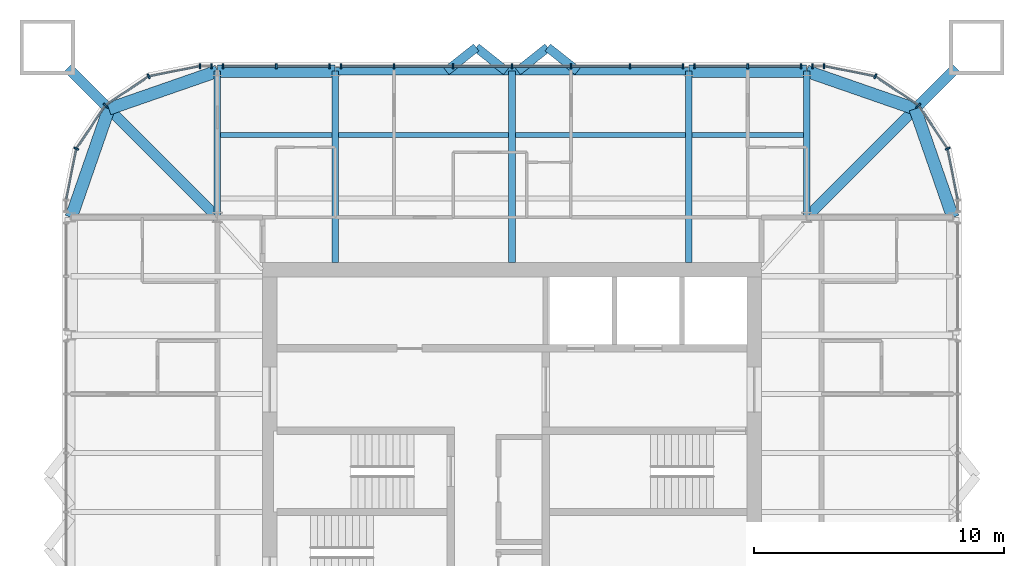
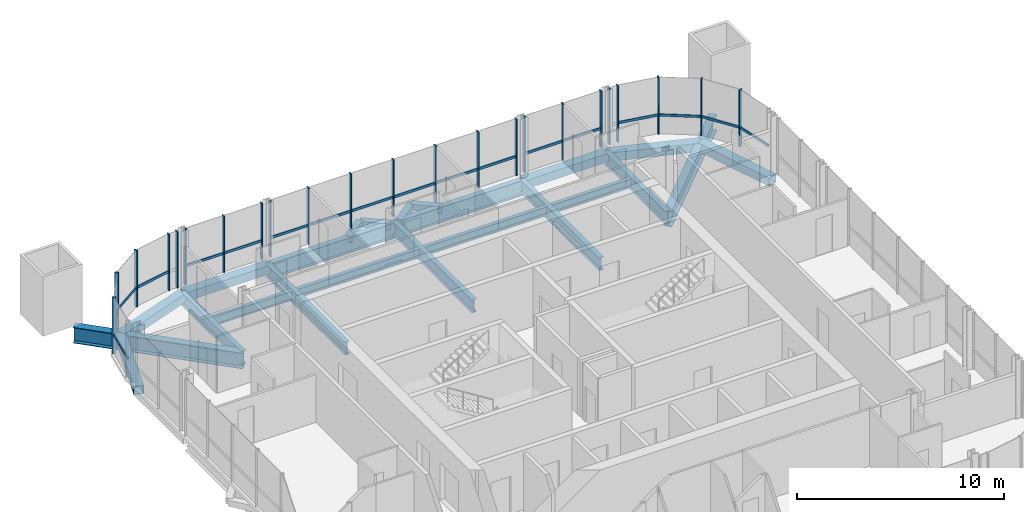
# One storey, part 6 of 17: 41 members, 22 beams, 7 elements without a shape of their own.
"""IFC4 building model written with IfcOpenShell, lengths in metres."""

import ifcopenshell
import ifcopenshell.guid

model = None  # the IFC model being written
_history = None  # IfcOwnerHistory: only IFC2X3 demands one
_inside = {}  # id of a spatial element -> (the spatial element, [elements in it])
_under = {}  # id of a project, library or spatial element -> (it, [spatial elements below it])
_declared = {}  # id of a project -> (the project, [libraries it declares])
_typed = {}  # id of a type object -> (the type object, [elements of that type])
_made_of = {}  # id of a material, layer set ... -> (it, [elements and type objects made of it])


def new_model(schema):
    """Start an empty IFC model of exactly this schema.

    Asked for "IFC4X3", IfcOpenShell would pick the latest addendum, in which some entities
    have other attributes; the version numbers below select the first issue.
    IFC2X3 requires an IfcOwnerHistory on every rooted entity: one is made here for all.
    """
    global model, _history
    if schema == "IFC4X3":
        model = ifcopenshell.file(schema_version=(4, 3, 0, 0))
    else:
        model = ifcopenshell.file(schema=schema)
    _inside.clear()
    _under.clear()
    _declared.clear()
    _typed.clear()
    _made_of.clear()
    _history = None
    if model.schema == "IFC2X3":
        org = make("IfcOrganization", Name="unknown")
        user = make(
            "IfcPersonAndOrganization",
            ThePerson=make("IfcPerson", FamilyName="unknown"),
            TheOrganization=org,
        )
        app = make(
            "IfcApplication",
            ApplicationDeveloper=org,
            Version="unknown",
            ApplicationFullName="unknown",
            ApplicationIdentifier="unknown",
        )
        _history = make(
            "IfcOwnerHistory",
            OwningUser=user,
            OwningApplication=app,
            ChangeAction="ADDED",
            CreationDate=0,
        )
    return model


def make(cls, **values):
    """One entity of the class cls with the attributes given. An attribute that is None is left unset."""
    return model.create_entity(
        cls, **{name: value for name, value in values.items() if value is not None}
    )


def rooted(cls, **values):
    """An entity with a GlobalId (a new one), such as an element, a storey or a relation."""
    return make(cls, GlobalId=ifcopenshell.guid.new(), OwnerHistory=_history, **values)


def si_unit(unit_type, name, prefix=None):
    """IfcSIUnit, for example si_unit("LENGTHUNIT", "METRE", prefix="MILLI")."""
    return make("IfcSIUnit", UnitType=unit_type, Prefix=prefix, Name=name)


def assignment(units):
    """IfcUnitAssignment: the units of a project."""
    return None if units is None else make("IfcUnitAssignment", Units=units)


def point(xyz):
    """IfcCartesianPoint."""
    return None if xyz is None else make("IfcCartesianPoint", Coordinates=xyz)


def direction(xyz):
    """IfcDirection."""
    return None if xyz is None else make("IfcDirection", DirectionRatios=xyz)


def frame(location, z_axis=None, x_axis=None):
    """IfcAxis2Placement3D, a coordinate frame: its origin and axes. An axis left out is left unset."""
    return make(
        "IfcAxis2Placement3D",
        Location=point(location),
        Axis=direction(z_axis),
        RefDirection=direction(x_axis),
    )


def frame_2d(location, x_axis=None):
    """IfcAxis2Placement2D, a coordinate frame in the plane: its origin and x axis."""
    return make(
        "IfcAxis2Placement2D", Location=point(location), RefDirection=direction(x_axis)
    )


def origin():
    """The frame at (0, 0, 0) with its axes left unset."""
    return frame((0.0, 0.0, 0.0))


def origin_2d():
    """The frame at (0, 0) in the plane with its x axis left unset."""
    return frame_2d((0.0, 0.0))


def place(relative_to, where):
    """IfcLocalPlacement: puts the frame where relative to a parent placement (None: the world)."""
    return make(
        "IfcLocalPlacement", PlacementRelTo=relative_to, RelativePlacement=where
    )


def context(
    kind, dimensions, precision=None, world=None, true_north=None, identifier=None
):
    """IfcGeometricRepresentationContext, for example the 3D "Model" context."""
    return make(
        "IfcGeometricRepresentationContext",
        ContextIdentifier=identifier,
        ContextType=kind,
        CoordinateSpaceDimension=dimensions,
        Precision=precision,
        WorldCoordinateSystem=world,
        TrueNorth=true_north,
    )


def subcontext(parent, identifier, kind, view, scale=None):
    """IfcGeometricRepresentationSubContext, for example "Body" below "Model"."""
    return make(
        "IfcGeometricRepresentationSubContext",
        ContextIdentifier=identifier,
        ContextType=kind,
        ParentContext=parent,
        TargetScale=scale,
        TargetView=view,
    )


def project(units=None, contexts=None):
    """IfcProject with its units and contexts."""
    return rooted(
        "IfcProject",
        Name="project",
        RepresentationContexts=contexts,
        UnitsInContext=assignment(units),
    )


def spatial(cls, under=None, at=None, **own):
    """A site, building, storey or space (cls), placed at a placement, below another one or the project."""
    s = rooted(cls, ObjectPlacement=at, **own)
    if under is not None:
        _under.setdefault(under.id(), (under, []))[1].append(s)
    return s


def profile(cls, at=None, kind="AREA", **sizes):
    """A parametric profile (cls). Its sizes go by their IFC names, for example OverallWidth=200.0."""
    return make(cls, ProfileType=kind, Position=at, **sizes)


def rectangle(**sizes):
    """IfcRectangleProfileDef."""
    return profile("IfcRectangleProfileDef", **sizes)


def hollow_rectangle(**sizes):
    """IfcRectangleHollowProfileDef."""
    return profile("IfcRectangleHollowProfileDef", **sizes)


def i_section(**sizes):
    """IfcIShapeProfileDef."""
    return profile("IfcIShapeProfileDef", **sizes)


def extrude(swept, where, along, depth):
    """IfcExtrudedAreaSolid: the profile swept, set in the frame where, extruded along a direction by depth."""
    return make(
        "IfcExtrudedAreaSolid",
        SweptArea=swept,
        Position=where,
        ExtrudedDirection=direction(along),
        Depth=depth,
    )


def shape(context_of_items, identifier, shape_type, items):
    """IfcShapeRepresentation: the items that make up one representation, for example the "Body"."""
    return make(
        "IfcShapeRepresentation",
        ContextOfItems=context_of_items,
        RepresentationIdentifier=identifier,
        RepresentationType=shape_type,
        Items=items,
    )


def material(Name=None, Category=None):
    """IfcMaterial."""
    return make("IfcMaterial", Name=Name, Category=Category)


def material_profile(
    of_material, cross_section, Name=None, Category=None, Priority=None
):
    """IfcMaterialProfile: a cross section and its material."""
    return make(
        "IfcMaterialProfile",
        Name=Name,
        Material=of_material,
        Profile=cross_section,
        Priority=Priority,
        Category=Category,
    )


def profile_set(profiles, Name=None, composite=None):
    """IfcMaterialProfileSet."""
    return make(
        "IfcMaterialProfileSet",
        Name=Name,
        MaterialProfiles=profiles,
        CompositeProfile=composite,
    )


def made_of(thing, what):
    """Note that an element or type object is made of a material, layer set ...; save() writes the relation."""
    if what is not None:
        _made_of.setdefault(what.id(), (what, []))[1].append(thing)
    return thing


def type_object(cls, material=None, **own):
    """A type object (cls), such as IfcWallType, which elements share."""
    return made_of(rooted(cls, **own), material)


def element(
    cls,
    number,
    at=None,
    inside=None,
    cuts=None,
    type_object=None,
    material=None,
    context=None,
    identifier="Body",
    shape_type=None,
    held_by="IfcProductDefinitionShape",
    body=None,
    shapes=None,
    **own,
):
    """One element of the class cls, such as IfcWall. Its Tag is "e" and its number.

    at: its placement. inside: the storey or other place that contains it. cuts: it is an
    opening in that element (IfcRelVoidsElement). A single representation is given by context,
    identifier, shape_type and body (its items); several are given by shapes. held_by: the class
    of the entity that holds the representations. save() writes the other relations.
    """
    e = rooted(cls, Tag="e%d" % number, ObjectPlacement=at, **own)
    if body is not None:
        shapes = [shape(context, identifier, shape_type, body)]
    if shapes is not None:
        e.Representation = make(held_by, Representations=shapes)
    if inside is not None:
        _inside.setdefault(inside.id(), (inside, []))[1].append(e)
    if cuts is not None:
        rooted(
            "IfcRelVoidsElement", RelatingBuildingElement=cuts, RelatedOpeningElement=e
        )
    if type_object is not None:
        _typed.setdefault(type_object.id(), (type_object, []))[1].append(e)
    return made_of(e, material)


def aggregate(whole, parts):
    """IfcRelAggregates: a whole, such as a stair, and the parts it consists of."""
    return rooted("IfcRelAggregates", RelatingObject=whole, RelatedObjects=parts)


def save(model, path):
    """Write the relations noted so far, then the file.

    IfcRelAggregates (storeys below a building ...), IfcRelContainedInSpatialStructure (elements
    in a storey), IfcRelDefinesByType, IfcRelAssociatesMaterial and IfcRelDeclares: one each for
    every whole, place, type object, material and project.
    """
    for whole, parts in _under.values():
        aggregate(whole, parts)
    for where, things in _inside.values():
        rooted(
            "IfcRelContainedInSpatialStructure",
            RelatedElements=things,
            RelatingStructure=where,
        )
    for kind, things in _typed.values():
        rooted("IfcRelDefinesByType", RelatedObjects=things, RelatingType=kind)
    for what, things in _made_of.values():
        rooted("IfcRelAssociatesMaterial", RelatedObjects=things, RelatingMaterial=what)
    for by, libraries in _declared.values():
        rooted("IfcRelDeclares", RelatingContext=by, RelatedDefinitions=libraries)
    model.write(path)


model = new_model("IFC4")

# Units and contexts
model_context = context("Model", 3, precision=1e-05, world=origin(), true_north=direction((0.0, 1.0)))
body_context = subcontext(model_context, "Body", "Model", "MODEL_VIEW")
ifc_project = project(units=[si_unit("LENGTHUNIT", "METRE"), si_unit("AREAUNIT", "SQUARE_METRE"), si_unit("VOLUMEUNIT", "CUBIC_METRE"), si_unit("PLANEANGLEUNIT", "RADIAN"), si_unit("MASSUNIT", "GRAM", prefix="KILO")], contexts=[model_context])

# Site, building, storey
site_placement = place(None, origin())
site = spatial("IfcSite", under=ifc_project, at=site_placement, CompositionType="ELEMENT")
building_placement = place(site_placement, origin())
building = spatial("IfcBuilding", under=site, at=building_placement, Name="Turquesa Mirador Hotel Tower", CompositionType="ELEMENT")
storey_placement = place(building_placement, frame((0.0, 0.0, 251.199951171875)))
storey = spatial("IfcBuildingStorey", under=building, at=storey_placement, Name="L68", CompositionType="ELEMENT", Elevation=251.199951171875)

# Beams
ifc_material_1 = material(Name="Steel ASTM A572 Grade 50", Category="steel")
ifc_material_profile_1 = material_profile(ifc_material_1, hollow_rectangle(XDim=0.5, YDim=0.5, WallThickness=0.01611328125, at=origin_2d()), Name="BOX500X500X16")
ifc_profile_set_1 = profile_set([ifc_material_profile_1], Name="Steel ASTM A572 Grade 50")
beam_type_1 = type_object("IfcBeamType", Name="BEAM BOX500X500X16", PredefinedType="BEAM", material=ifc_profile_set_1)
for number, where, z_axis, x_axis, name in (
    (1, (43.199951171875, 62.64990234375, -0.419921875), (1.0, 0.0, 0.0), (0.0, 1.0, 0.0), "EB-L68-N-L"),
    (2, (62.080078125, 62.64990234375, -0.419921875), (1.0, 0.0, 0.0), (0.0, 1.0, 0.0), "EB-L68-N-R"),
):
    element("IfcBeam", number, at=place(storey_placement, frame(where, z_axis=z_axis, x_axis=x_axis)), inside=storey, type_object=beam_type_1, Name=name, PredefinedType="BEAM", context=body_context, shape_type="SweptSolid", body=[
        extrude(hollow_rectangle(XDim=0.5, YDim=0.5, WallThickness=0.01611328125, at=origin_2d()), origin(), (0.0, 0.0, 1.0), 4.719970703125),
    ])
for number, where, z_axis, x_axis, name in (
    (3, (72.64990234375, 56.800048828125, -0.419921875), (-0.328170356092, 0.944618556552, 0.0), (-0.944618556552, -0.328170356092, 0.0), "KE-L68-1-0"),
    (4, (71.1416015625, 61.1416015625, -0.419921875), (-0.944618556552, 0.328170356092, 0.0), (-0.328170356092, -0.944618556552, 0.0), "KE-L68-1-1"),
    (5, (37.35009765625, 56.800048828125, -0.419921875), (0.328170356092, 0.944618556552, 0.0), (-0.944618556552, 0.328170356092, 0.0), "KE-L68-2-0"),
    (6, (38.8583984375, 61.1416015625, -0.419921875), (0.944618556552, 0.328170356092, 0.0), (-0.328170356092, 0.944618556552, 0.0), "KE-L68-2-1"),
):
    element("IfcBeam", number, at=place(storey_placement, frame(where, z_axis=z_axis, x_axis=x_axis)), inside=storey, type_object=beam_type_1, Name=name, PredefinedType="BEAM", context=body_context, shape_type="SweptSolid", body=[
        extrude(hollow_rectangle(XDim=0.5, YDim=0.5, WallThickness=0.01611328125, at=origin_2d()), origin(), (0.0, 0.0, 1.0), 4.59619140625),
    ])
ifc_material_2 = material(Name="Steel ASTM A992 Grade 50", Category="steel")
ifc_material_profile_2 = material_profile(ifc_material_2, i_section(OverallWidth=0.209228515625, OverallDepth=0.533447265625, WebThickness=0.01025390625, FlangeThickness=0.015625, at=origin_2d()), Name="W21X62")
ifc_profile_set_2 = profile_set([ifc_material_profile_2], Name="Steel ASTM A992 Grade 50")
beam_type_2 = type_object("IfcBeamType", Name="BEAM W21X62", PredefinedType="BEAM", material=ifc_profile_set_2)
beam_1_placement = place(storey_placement, frame((43.333251953125, 60.10009765625, -0.436767578125), z_axis=(1.0, 0.0, 0.0), x_axis=(0.0, 1.0, 0.0)))
element("IfcBeam", 7, at=beam_1_placement, inside=storey, type_object=beam_type_2, Name="IB-L68-N-2-0", PredefinedType="BEAM", context=body_context, shape_type="SweptSolid", body=[
    extrude(i_section(OverallWidth=0.209228515625, OverallDepth=0.533447265625, WebThickness=0.01025390625, FlangeThickness=0.015625, at=origin_2d()), origin(), (0.0, 0.0, 1.0), 4.453369140625),
])
for number, where, z_axis, x_axis, name in (
    (8, (48.053466796875, 60.10009765625, -0.436767578125), (1.0, 0.0, 0.0), (0.0, 1.0, 0.0), "IB-L68-N-2-1"),
    (9, (55.13330078125, 60.10009765625, -0.436767578125), (1.0, 0.0, 0.0), (0.0, 1.0, 0.0), "IB-L68-N-2-2"),
):
    element("IfcBeam", number, at=place(storey_placement, frame(where, z_axis=z_axis, x_axis=x_axis)), inside=storey, type_object=beam_type_2, Name=name, PredefinedType="BEAM", context=body_context, shape_type="SweptSolid", body=[
        extrude(i_section(OverallWidth=0.209228515625, OverallDepth=0.533447265625, WebThickness=0.01025390625, FlangeThickness=0.015625, at=origin_2d()), origin(), (0.0, 0.0, 1.0), 6.813232421875),
    ])
beam_2_placement = place(storey_placement, frame((62.21337890625, 60.10009765625, -0.436767578125), z_axis=(1.0, 0.0, 0.0), x_axis=(0.0, 1.0, 0.0)))
element("IfcBeam", 10, at=beam_2_placement, inside=storey, type_object=beam_type_2, Name="IB-L68-N-2-3", PredefinedType="BEAM", context=body_context, shape_type="SweptSolid", body=[
    extrude(i_section(OverallWidth=0.209228515625, OverallDepth=0.533447265625, WebThickness=0.01025390625, FlangeThickness=0.015625, at=origin_2d()), origin(), (0.0, 0.0, 1.0), 4.453369140625),
])
ifc_material_3 = material(Name="Steel ASTM A992 Grade 50", Category="steel")
ifc_material_profile_3 = material_profile(ifc_material_3, i_section(OverallWidth=0.2666015625, OverallDepth=0.7568359375, WebThickness=0.013916015625, FlangeThickness=0.019287109375, at=origin_2d()), Name="W30X108")
ifc_profile_set_3 = profile_set([ifc_material_profile_3], Name="Steel ASTM A992 Grade 50")
beam_type_3 = type_object("IfcBeamType", Name="BEAM W30X108", PredefinedType="BEAM", material=ifc_profile_set_3)
for number, where, z_axis, x_axis, name in (
    (11, (47.919921875, 62.64990234375, -0.54833984375), (0.0, -1.0, 0.0), (1.0, 0.0, 0.0), "GD-L68-N--7.08"),
    (12, (62.080078125, 62.64990234375, -0.54833984375), (0.0, -1.0, 0.0), (1.0, 0.0, 0.0), "GD-L68-N-+7.08"),
    (13, (55.0, 62.64990234375, -0.54833984375), (0.0, -1.0, 0.0), (1.0, 0.0, 0.0), "GD-L68-N-+0.00"),
):
    element("IfcBeam", number, at=place(storey_placement, frame(where, z_axis=z_axis, x_axis=x_axis)), inside=storey, type_object=beam_type_3, Name=name, PredefinedType="BEAM", context=body_context, shape_type="SweptSolid", body=[
        extrude(i_section(OverallWidth=0.2666015625, OverallDepth=0.7568359375, WebThickness=0.013916015625, FlangeThickness=0.019287109375, at=origin_2d()), origin(), (0.0, 0.0, 1.0), 7.64990234375),
    ])
for number, where, z_axis, x_axis, name in (
    (14, (43.199951171875, 62.64990234375, -0.54833984375), (0.0, -1.0, 0.0), (1.0, 0.0, 0.0), "GK-L68-N--11.80"),
    (15, (66.800048828125, 62.64990234375, -0.54833984375), (0.0, -1.0, 0.0), (1.0, 0.0, 0.0), "GK-L68-N-+11.80"),
):
    element("IfcBeam", number, at=place(storey_placement, frame(where, z_axis=z_axis, x_axis=x_axis)), inside=storey, type_object=beam_type_3, Name=name, PredefinedType="BEAM", context=body_context, shape_type="SweptSolid", body=[
        extrude(i_section(OverallWidth=0.2666015625, OverallDepth=0.7568359375, WebThickness=0.013916015625, FlangeThickness=0.019287109375, at=origin_2d()), origin(), (0.0, 0.0, 1.0), 5.849853515625),
    ])
ifc_material_4 = material(Name="Steel ASTM A992 Grade 50", Category="steel")
ifc_material_profile_4 = material_profile(ifc_material_4, i_section(OverallWidth=0.3046875, OverallDepth=0.911865234375, WebThickness=0.015869140625, FlangeThickness=0.02392578125, at=origin_2d()), Name="W36X150")
ifc_profile_set_4 = profile_set([ifc_material_profile_4], Name="Steel ASTM A992 Grade 50")
beam_type_4 = type_object("IfcBeamType", Name="BEAM W36X150", PredefinedType="BEAM", material=ifc_profile_set_4)
beam_3_placement = place(storey_placement, frame((47.919921875, 62.64990234375, -0.6259765625), z_axis=(1.0, 0.0, 0.0), x_axis=(0.0, 1.0, 0.0)))
element("IfcBeam", 16, at=beam_3_placement, inside=storey, type_object=beam_type_4, Name="EB-L68-N-C", PredefinedType="BEAM", context=body_context, shape_type="SweptSolid", body=[
    extrude(i_section(OverallWidth=0.3046875, OverallDepth=0.911865234375, WebThickness=0.015869140625, FlangeThickness=0.02392578125, at=origin_2d()), origin(), (0.0, 0.0, 1.0), 14.16015625),
])
ifc_material_5 = material(Name="Steel ASTM A992 Grade 50", Category="steel")
ifc_material_profile_5 = material_profile(ifc_material_5, i_section(OverallWidth=0.419189453125, OverallDepth=0.927001953125, WebThickness=0.019287109375, FlangeThickness=0.031982421875, at=origin_2d()), Name="W36X231")
ifc_profile_set_5 = profile_set([ifc_material_profile_5], Name="Steel ASTM A992 Grade 50")
beam_type_5 = type_object("IfcBeamType", Name="BEAM W36X231", PredefinedType="BEAM", material=ifc_profile_set_5)
for number, where, z_axis, x_axis, name in (
    (17, (66.800048828125, 56.800048828125, -0.633544921875), (0.707106781187, 0.707106781187, 0.0), (-0.707106781187, 0.707106781187, 0.0), "KD-L68-1"),
    (18, (43.199951171875, 56.800048828125, -0.633544921875), (-0.707106781187, 0.707106781187, 0.0), (-0.707106781187, -0.707106781187, 0.0), "KD-L68-2"),
):
    element("IfcBeam", number, at=place(storey_placement, frame(where, z_axis=z_axis, x_axis=x_axis)), inside=storey, type_object=beam_type_5, Name=name, PredefinedType="BEAM", context=body_context, shape_type="SweptSolid", body=[
        extrude(i_section(OverallWidth=0.419189453125, OverallDepth=0.927001953125, WebThickness=0.019287109375, FlangeThickness=0.031982421875, at=origin_2d()), origin(), (0.0, 0.0, 1.0), 8.46240234375),
    ])
ifc_material_6 = material(Name="Steel ASTM A500 Grade C", Category="steel")
ifc_material_profile_6 = material_profile(ifc_material_6, hollow_rectangle(XDim=0.355712890625, YDim=0.355712890625, WallThickness=0.0146484375, at=origin_2d()), Name="HSS14X14X5/8")
ifc_profile_set_6 = profile_set([ifc_material_profile_6], Name="Steel ASTM A500 Grade C")
beam_type_6 = type_object("IfcBeamType", Name="BRACE STRUT HSS14X14X5/8", PredefinedType="BEAM", material=ifc_profile_set_6)
beam_4_placement = place(storey_placement, frame((56.4306640625, 63.60009765625, -0.34765625), z_axis=(-0.783971428146, -0.620796907089, 0.0), x_axis=(0.620796907089, -0.783971428146, 0.0)))
element("IfcBeam", 19, at=beam_4_placement, inside=storey, type_object=beam_type_6, Name="Brace strut", PredefinedType="BEAM", context=body_context, shape_type="SweptSolid", body=[
    extrude(hollow_rectangle(XDim=0.355712890625, YDim=0.355712890625, WallThickness=0.0146484375, at=origin_2d()), origin(), (0.0, 0.0, 1.0), 1.530517578125),
])
for number, where, z_axis, x_axis, name in (
    (20, (56.4306640625, 63.60009765625, -0.34765625), (0.784032888399, -0.620719284306, 0.0), (0.620719284306, 0.784032888399, 0.0), "Brace strut"),
    (21, (53.5693359375, 63.60009765625, -0.34765625), (-0.784032888399, -0.620719284306, 0.0), (0.620719284306, -0.784032888399, 0.0), "Brace strut"),
):
    element("IfcBeam", number, at=place(storey_placement, frame(where, z_axis=z_axis, x_axis=x_axis)), inside=storey, type_object=beam_type_6, Name=name, PredefinedType="BEAM", context=body_context, shape_type="SweptSolid", body=[
        extrude(hollow_rectangle(XDim=0.355712890625, YDim=0.355712890625, WallThickness=0.0146484375, at=origin_2d()), origin(), (0.0, 0.0, 1.0), 1.53076171875),
    ])
beam_5_placement = place(storey_placement, frame((53.5693359375, 63.60009765625, -0.34765625), z_axis=(0.783971428146, -0.620796907089, 0.0), x_axis=(0.620796907089, 0.783971428146, 0.0)))
element("IfcBeam", 22, at=beam_5_placement, inside=storey, type_object=beam_type_6, Name="Brace strut", PredefinedType="BEAM", context=body_context, shape_type="SweptSolid", body=[
    extrude(hollow_rectangle(XDim=0.355712890625, YDim=0.355712890625, WallThickness=0.0146484375, at=origin_2d()), origin(), (0.0, 0.0, 1.0), 1.530517578125),
])

# Curtain wall, members
ifc_material_7 = material(Name="Aluminium extrusion", Category="aluminium")
curtain_wall_type = type_object("IfcCurtainWallType", Name="CW-4 SUITE FRITTED CURTAIN WALL", PredefinedType="USERDEFINED", material=ifc_material_7)
curtain_wall_1_placement = place(storey_placement, origin())
curtain_wall_1 = element("IfcCurtainWall", 23, at=curtain_wall_1_placement, inside=storey, type_object=curtain_wall_type, Name="CW-4 SUITE FRITTED CURTAIN WALL L68", ObjectType="CURTAIN WALL", PredefinedType="USERDEFINED")
ifc_material_8 = material(Name="Aluminium extrusion", Category="aluminium")
ifc_material_profile_7 = material_profile(ifc_material_8, rectangle(XDim=0.06494140625, YDim=0.199951171875, at=origin_2d()), Name="MULLION 65X200")
ifc_profile_set_7 = profile_set([ifc_material_profile_7], Name="Aluminium extrusion")
member_type_1 = type_object("IfcMemberType", Name="CW MULLION 65X200", PredefinedType="MULLION", material=ifc_profile_set_7)
member_1_placement = place(storey_placement, frame((72.44287109375, 59.54736328125, 0.0), z_axis=(0.0, 0.0, 1.0), x_axis=(-0.382683432365, 0.923879532511, 0.0)))
member_1 = element("IfcMember", 24, at=member_1_placement, type_object=member_type_1, Name="Mullion", PredefinedType="MULLION", context=body_context, shape_type="SweptSolid", body=[
    extrude(rectangle(XDim=0.06494140625, YDim=0.199951171875, at=origin_2d()), origin(), (0.0, 0.0, 1.0), 3.330078125),
])
member_2_placement = place(storey_placement, frame((71.282958984375, 61.282958984375, 0.0), z_axis=(0.0, 0.0, 1.0), x_axis=(-0.707106781187, 0.707106781187, 0.0)))
member_2 = element("IfcMember", 25, at=member_2_placement, type_object=member_type_1, Name="Mullion", PredefinedType="MULLION", context=body_context, shape_type="SweptSolid", body=[
    extrude(rectangle(XDim=0.06494140625, YDim=0.199951171875, at=origin_2d()), origin(), (0.0, 0.0, 1.0), 3.330078125),
])
member_3_placement = place(storey_placement, frame((69.54736328125, 62.44287109375, 0.0), z_axis=(0.0, 0.0, 1.0), x_axis=(-0.923879532511, 0.382683432365, 0.0)))
member_3 = element("IfcMember", 26, at=member_3_placement, type_object=member_type_1, Name="Mullion", PredefinedType="MULLION", context=body_context, shape_type="SweptSolid", body=[
    extrude(rectangle(XDim=0.06494140625, YDim=0.199951171875, at=origin_2d()), origin(), (0.0, 0.0, 1.0), 3.330078125),
])

curtain_wall_2_placement = place(storey_placement, origin())
curtain_wall_2 = element("IfcCurtainWall", 27, at=curtain_wall_2_placement, inside=storey, type_object=curtain_wall_type, Name="CW-4 SUITE FRITTED CURTAIN WALL L68", ObjectType="CURTAIN WALL", PredefinedType="USERDEFINED")
member_4_placement = place(storey_placement, frame((67.5, 62.85009765625, 0.0), z_axis=(0.0, 0.0, 1.0), x_axis=(-1.0, 0.0, 0.0)))
member_4 = element("IfcMember", 28, at=member_4_placement, type_object=member_type_1, Name="Mullion", PredefinedType="MULLION", context=body_context, shape_type="SweptSolid", body=[
    extrude(rectangle(XDim=0.06494140625, YDim=0.199951171875, at=origin_2d()), origin(), (0.0, 0.0, 1.0), 3.330078125),
])
member_5_placement = place(storey_placement, frame((67.033935546875, 62.85009765625, 0.0), z_axis=(0.0, 0.0, 1.0), x_axis=(-1.0, 0.0, 0.0)))
member_5 = element("IfcMember", 29, at=member_5_placement, type_object=member_type_1, Name="Mullion", PredefinedType="MULLION", context=body_context, shape_type="SweptSolid", body=[
    extrude(rectangle(XDim=0.06494140625, YDim=0.199951171875, at=origin_2d()), origin(), (0.0, 0.0, 1.0), 3.330078125),
])
aggregate(curtain_wall_2, [member_4, member_5])

curtain_wall_3_placement = place(storey_placement, origin())
curtain_wall_3 = element("IfcCurtainWall", 30, at=curtain_wall_3_placement, inside=storey, type_object=curtain_wall_type, Name="CW-4 SUITE FRITTED CURTAIN WALL L68", ObjectType="CURTAIN WALL", PredefinedType="USERDEFINED")
member_6_placement = place(storey_placement, frame((66.566162109375, 62.85009765625, 0.0), z_axis=(0.0, 0.0, 1.0), x_axis=(-1.0, 0.0, 0.0)))
member_6 = element("IfcMember", 31, at=member_6_placement, type_object=member_type_1, Name="Mullion", PredefinedType="MULLION", context=body_context, shape_type="SweptSolid", body=[
    extrude(rectangle(XDim=0.06494140625, YDim=0.199951171875, at=origin_2d()), origin(), (0.0, 0.0, 1.0), 3.330078125),
])
member_7_placement = place(storey_placement, frame((64.43994140625, 62.85009765625, 0.0), z_axis=(0.0, 0.0, 1.0), x_axis=(-1.0, 0.0, 0.0)))
member_7 = element("IfcMember", 32, at=member_7_placement, type_object=member_type_1, Name="Mullion", PredefinedType="MULLION", context=body_context, shape_type="SweptSolid", body=[
    extrude(rectangle(XDim=0.06494140625, YDim=0.199951171875, at=origin_2d()), origin(), (0.0, 0.0, 1.0), 3.330078125),
])
member_8_placement = place(storey_placement, frame((62.31396484375, 62.85009765625, 0.0), z_axis=(0.0, 0.0, 1.0), x_axis=(-1.0, 0.0, 0.0)))
member_8 = element("IfcMember", 33, at=member_8_placement, type_object=member_type_1, Name="Mullion", PredefinedType="MULLION", context=body_context, shape_type="SweptSolid", body=[
    extrude(rectangle(XDim=0.06494140625, YDim=0.199951171875, at=origin_2d()), origin(), (0.0, 0.0, 1.0), 3.330078125),
])

curtain_wall_4_placement = place(storey_placement, origin())
curtain_wall_4 = element("IfcCurtainWall", 34, at=curtain_wall_4_placement, inside=storey, type_object=curtain_wall_type, Name="CW-4 SUITE FRITTED CURTAIN WALL L68", ObjectType="CURTAIN WALL", PredefinedType="USERDEFINED")
member_9_placement = place(storey_placement, frame((61.84619140625, 62.85009765625, 0.0), z_axis=(0.0, 0.0, 1.0), x_axis=(-1.0, 0.0, 0.0)))
member_9 = element("IfcMember", 35, at=member_9_placement, type_object=member_type_1, Name="Mullion", PredefinedType="MULLION", context=body_context, shape_type="SweptSolid", body=[
    extrude(rectangle(XDim=0.06494140625, YDim=0.199951171875, at=origin_2d()), origin(), (0.0, 0.0, 1.0), 3.330078125),
])
member_10_placement = place(storey_placement, frame((59.719970703125, 62.85009765625, 0.0), z_axis=(0.0, 0.0, 1.0), x_axis=(-1.0, 0.0, 0.0)))
member_10 = element("IfcMember", 36, at=member_10_placement, type_object=member_type_1, Name="Mullion", PredefinedType="MULLION", context=body_context, shape_type="SweptSolid", body=[
    extrude(rectangle(XDim=0.06494140625, YDim=0.199951171875, at=origin_2d()), origin(), (0.0, 0.0, 1.0), 3.330078125),
])
member_11_placement = place(storey_placement, frame((57.360107421875, 62.85009765625, 0.0), z_axis=(0.0, 0.0, 1.0), x_axis=(-1.0, 0.0, 0.0)))
member_11 = element("IfcMember", 37, at=member_11_placement, type_object=member_type_1, Name="Mullion", PredefinedType="MULLION", context=body_context, shape_type="SweptSolid", body=[
    extrude(rectangle(XDim=0.06494140625, YDim=0.199951171875, at=origin_2d()), origin(), (0.0, 0.0, 1.0), 3.330078125),
])
member_12_placement = place(storey_placement, frame((55.0, 62.85009765625, 0.0), z_axis=(0.0, 0.0, 1.0), x_axis=(-1.0, 0.0, 0.0)))
member_12 = element("IfcMember", 38, at=member_12_placement, type_object=member_type_1, Name="Mullion", PredefinedType="MULLION", context=body_context, shape_type="SweptSolid", body=[
    extrude(rectangle(XDim=0.06494140625, YDim=0.199951171875, at=origin_2d()), origin(), (0.0, 0.0, 1.0), 3.330078125),
])
member_13_placement = place(storey_placement, frame((52.639892578125, 62.85009765625, 0.0), z_axis=(0.0, 0.0, 1.0), x_axis=(-1.0, 0.0, 0.0)))
member_13 = element("IfcMember", 39, at=member_13_placement, type_object=member_type_1, Name="Mullion", PredefinedType="MULLION", context=body_context, shape_type="SweptSolid", body=[
    extrude(rectangle(XDim=0.06494140625, YDim=0.199951171875, at=origin_2d()), origin(), (0.0, 0.0, 1.0), 3.330078125),
])
member_14_placement = place(storey_placement, frame((50.280029296875, 62.85009765625, 0.0), z_axis=(0.0, 0.0, 1.0), x_axis=(-1.0, 0.0, 0.0)))
member_14 = element("IfcMember", 40, at=member_14_placement, type_object=member_type_1, Name="Mullion", PredefinedType="MULLION", context=body_context, shape_type="SweptSolid", body=[
    extrude(rectangle(XDim=0.06494140625, YDim=0.199951171875, at=origin_2d()), origin(), (0.0, 0.0, 1.0), 3.330078125),
])
member_15_placement = place(storey_placement, frame((48.15380859375, 62.85009765625, 0.0), z_axis=(0.0, 0.0, 1.0), x_axis=(-1.0, 0.0, 0.0)))
member_15 = element("IfcMember", 41, at=member_15_placement, type_object=member_type_1, Name="Mullion", PredefinedType="MULLION", context=body_context, shape_type="SweptSolid", body=[
    extrude(rectangle(XDim=0.06494140625, YDim=0.199951171875, at=origin_2d()), origin(), (0.0, 0.0, 1.0), 3.330078125),
])

curtain_wall_5_placement = place(storey_placement, origin())
curtain_wall_5 = element("IfcCurtainWall", 42, at=curtain_wall_5_placement, inside=storey, type_object=curtain_wall_type, Name="CW-4 SUITE FRITTED CURTAIN WALL L68", ObjectType="CURTAIN WALL", PredefinedType="USERDEFINED")
member_16_placement = place(storey_placement, frame((47.68603515625, 62.85009765625, 0.0), z_axis=(0.0, 0.0, 1.0), x_axis=(-1.0, 0.0, 0.0)))
member_16 = element("IfcMember", 43, at=member_16_placement, type_object=member_type_1, Name="Mullion", PredefinedType="MULLION", context=body_context, shape_type="SweptSolid", body=[
    extrude(rectangle(XDim=0.06494140625, YDim=0.199951171875, at=origin_2d()), origin(), (0.0, 0.0, 1.0), 3.330078125),
])
member_17_placement = place(storey_placement, frame((45.56005859375, 62.85009765625, 0.0), z_axis=(0.0, 0.0, 1.0), x_axis=(-1.0, 0.0, 0.0)))
member_17 = element("IfcMember", 44, at=member_17_placement, type_object=member_type_1, Name="Mullion", PredefinedType="MULLION", context=body_context, shape_type="SweptSolid", body=[
    extrude(rectangle(XDim=0.06494140625, YDim=0.199951171875, at=origin_2d()), origin(), (0.0, 0.0, 1.0), 3.330078125),
])
member_18_placement = place(storey_placement, frame((43.433837890625, 62.85009765625, 0.0), z_axis=(0.0, 0.0, 1.0), x_axis=(-1.0, 0.0, 0.0)))
member_18 = element("IfcMember", 45, at=member_18_placement, type_object=member_type_1, Name="Mullion", PredefinedType="MULLION", context=body_context, shape_type="SweptSolid", body=[
    extrude(rectangle(XDim=0.06494140625, YDim=0.199951171875, at=origin_2d()), origin(), (0.0, 0.0, 1.0), 3.330078125),
])

curtain_wall_6_placement = place(storey_placement, origin())
curtain_wall_6 = element("IfcCurtainWall", 46, at=curtain_wall_6_placement, inside=storey, type_object=curtain_wall_type, Name="CW-4 SUITE FRITTED CURTAIN WALL L68", ObjectType="CURTAIN WALL", PredefinedType="USERDEFINED")
member_19_placement = place(storey_placement, frame((42.966064453125, 62.85009765625, 0.0), z_axis=(0.0, 0.0, 1.0), x_axis=(-1.0, 0.0, 0.0)))
member_19 = element("IfcMember", 47, at=member_19_placement, type_object=member_type_1, Name="Mullion", PredefinedType="MULLION", context=body_context, shape_type="SweptSolid", body=[
    extrude(rectangle(XDim=0.06494140625, YDim=0.199951171875, at=origin_2d()), origin(), (0.0, 0.0, 1.0), 3.330078125),
])
member_20_placement = place(storey_placement, frame((42.5, 62.85009765625, 0.0), z_axis=(0.0, 0.0, 1.0), x_axis=(-1.0, 0.0, 0.0)))
member_20 = element("IfcMember", 48, at=member_20_placement, type_object=member_type_1, Name="Mullion", PredefinedType="MULLION", context=body_context, shape_type="SweptSolid", body=[
    extrude(rectangle(XDim=0.06494140625, YDim=0.199951171875, at=origin_2d()), origin(), (0.0, 0.0, 1.0), 3.330078125),
])
aggregate(curtain_wall_6, [member_19, member_20])

curtain_wall_7_placement = place(storey_placement, origin())
curtain_wall_7 = element("IfcCurtainWall", 49, at=curtain_wall_7_placement, inside=storey, type_object=curtain_wall_type, Name="CW-4 SUITE FRITTED CURTAIN WALL L68", ObjectType="CURTAIN WALL", PredefinedType="USERDEFINED")
member_21_placement = place(storey_placement, frame((40.45263671875, 62.44287109375, 0.0), z_axis=(0.0, 0.0, 1.0), x_axis=(-0.923879532511, -0.382683432365, 0.0)))
member_21 = element("IfcMember", 50, at=member_21_placement, type_object=member_type_1, Name="Mullion", PredefinedType="MULLION", context=body_context, shape_type="SweptSolid", body=[
    extrude(rectangle(XDim=0.06494140625, YDim=0.199951171875, at=origin_2d()), origin(), (0.0, 0.0, 1.0), 3.330078125),
])
member_22_placement = place(storey_placement, frame((38.717041015625, 61.282958984375, 0.0), z_axis=(0.0, 0.0, 1.0), x_axis=(-0.707106781187, -0.707106781187, 0.0)))
member_22 = element("IfcMember", 51, at=member_22_placement, type_object=member_type_1, Name="Mullion", PredefinedType="MULLION", context=body_context, shape_type="SweptSolid", body=[
    extrude(rectangle(XDim=0.06494140625, YDim=0.199951171875, at=origin_2d()), origin(), (0.0, 0.0, 1.0), 3.330078125),
])
member_23_placement = place(storey_placement, frame((37.55712890625, 59.54736328125, 0.0), z_axis=(0.0, 0.0, 1.0), x_axis=(-0.382683432365, -0.923879532511, 0.0)))
member_23 = element("IfcMember", 52, at=member_23_placement, type_object=member_type_1, Name="Mullion", PredefinedType="MULLION", context=body_context, shape_type="SweptSolid", body=[
    extrude(rectangle(XDim=0.06494140625, YDim=0.199951171875, at=origin_2d()), origin(), (0.0, 0.0, 1.0), 3.330078125),
])

# Member
ifc_material_9 = material(Name="Aluminium extrusion", Category="aluminium")
ifc_material_profile_8 = material_profile(ifc_material_9, rectangle(XDim=0.06494140625, YDim=0.14990234375, at=origin_2d()), Name="TRANSOM 65X150")
ifc_profile_set_8 = profile_set([ifc_material_profile_8], Name="Aluminium extrusion")
member_type_2 = type_object("IfcMemberType", Name="CW TRANSOM 65X150", PredefinedType="USERDEFINED", material=ifc_profile_set_8)
member_24_placement = place(storey_placement, frame((72.84375, 57.531982421875, 1.10009765625), z_axis=(-0.195210621934, 0.980761343592, 0.0), x_axis=(-0.980761343592, -0.195210621934, 0.0)))
member_24 = element("IfcMember", 53, at=member_24_placement, type_object=member_type_2, Name="Transom", ObjectType="TRANSOM", PredefinedType="USERDEFINED", context=body_context, shape_type="SweptSolid", body=[
    extrude(rectangle(XDim=0.06494140625, YDim=0.14990234375, at=origin_2d()), origin(), (0.0, 0.0, 1.0), 2.022216796875),
])

member_25_placement = place(storey_placement, frame((72.4248046875, 59.574462890625, 1.10009765625), z_axis=(-0.555619095835, 0.831436961136, 0.0), x_axis=(-0.831436961136, -0.555619095835, 0.0)))
member_25 = element("IfcMember", 54, at=member_25_placement, type_object=member_type_2, Name="Transom", ObjectType="TRANSOM", PredefinedType="USERDEFINED", context=body_context, shape_type="SweptSolid", body=[
    extrude(rectangle(XDim=0.06494140625, YDim=0.14990234375, at=origin_2d()), origin(), (0.0, 0.0, 1.0), 2.0224609375),
])

member_26_placement = place(storey_placement, frame((71.256103515625, 61.301025390625, 1.10009765625), z_axis=(-0.831436961136, 0.555619095835, 0.0), x_axis=(-0.555619095835, -0.831436961136, 0.0)))
member_26 = element("IfcMember", 55, at=member_26_placement, type_object=member_type_2, Name="Transom", ObjectType="TRANSOM", PredefinedType="USERDEFINED", context=body_context, shape_type="SweptSolid", body=[
    extrude(rectangle(XDim=0.06494140625, YDim=0.14990234375, at=origin_2d()), origin(), (0.0, 0.0, 1.0), 2.0224609375),
])

member_27_placement = place(storey_placement, frame((69.515380859375, 62.448974609375, 1.10009765625), z_axis=(-0.980761343592, 0.195210621934, 0.0), x_axis=(-0.195210621934, -0.980761343592, 0.0)))
member_27 = element("IfcMember", 56, at=member_27_placement, type_object=member_type_2, Name="Transom", ObjectType="TRANSOM", PredefinedType="USERDEFINED", context=body_context, shape_type="SweptSolid", body=[
    extrude(rectangle(XDim=0.06494140625, YDim=0.14990234375, at=origin_2d()), origin(), (0.0, 0.0, 1.0), 2.022216796875),
])

aggregate(curtain_wall_1, [member_1, member_2, member_3, member_24, member_25, member_26, member_27])

member_28_placement = place(storey_placement, frame((66.53369140625, 62.85009765625, 1.10009765625), z_axis=(-1.0, 0.0, 0.0), x_axis=(0.0, -1.0, 0.0)))
member_28 = element("IfcMember", 57, at=member_28_placement, type_object=member_type_2, Name="Transom", ObjectType="TRANSOM", PredefinedType="USERDEFINED", context=body_context, shape_type="SweptSolid", body=[
    extrude(rectangle(XDim=0.06494140625, YDim=0.14990234375, at=origin_2d()), origin(), (0.0, 0.0, 1.0), 2.061279296875),
])

member_29_placement = place(storey_placement, frame((64.407470703125, 62.85009765625, 1.10009765625), z_axis=(-1.0, 0.0, 0.0), x_axis=(0.0, -1.0, 0.0)))
member_29 = element("IfcMember", 58, at=member_29_placement, type_object=member_type_2, Name="Transom", ObjectType="TRANSOM", PredefinedType="USERDEFINED", context=body_context, shape_type="SweptSolid", body=[
    extrude(rectangle(XDim=0.06494140625, YDim=0.14990234375, at=origin_2d()), origin(), (0.0, 0.0, 1.0), 2.06103515625),
])

aggregate(curtain_wall_3, [member_6, member_7, member_8, member_28, member_29])

member_30_placement = place(storey_placement, frame((61.813720703125, 62.85009765625, 1.10009765625), z_axis=(-1.0, 0.0, 0.0), x_axis=(0.0, -1.0, 0.0)))
member_30 = element("IfcMember", 59, at=member_30_placement, type_object=member_type_2, Name="Transom", ObjectType="TRANSOM", PredefinedType="USERDEFINED", context=body_context, shape_type="SweptSolid", body=[
    extrude(rectangle(XDim=0.06494140625, YDim=0.14990234375, at=origin_2d()), origin(), (0.0, 0.0, 1.0), 2.061279296875),
])

member_31_placement = place(storey_placement, frame((59.6875, 62.85009765625, 1.10009765625), z_axis=(-1.0, 0.0, 0.0), x_axis=(0.0, -1.0, 0.0)))
member_31 = element("IfcMember", 60, at=member_31_placement, type_object=member_type_2, Name="Transom", ObjectType="TRANSOM", PredefinedType="USERDEFINED", context=body_context, shape_type="SweptSolid", body=[
    extrude(rectangle(XDim=0.06494140625, YDim=0.14990234375, at=origin_2d()), origin(), (0.0, 0.0, 1.0), 2.294921875),
])

member_32_placement = place(storey_placement, frame((57.327392578125, 62.85009765625, 1.10009765625), z_axis=(-1.0, 0.0, 0.0), x_axis=(0.0, -1.0, 0.0)))
member_32 = element("IfcMember", 61, at=member_32_placement, type_object=member_type_2, Name="Transom", ObjectType="TRANSOM", PredefinedType="USERDEFINED", context=body_context, shape_type="SweptSolid", body=[
    extrude(rectangle(XDim=0.06494140625, YDim=0.14990234375, at=origin_2d()), origin(), (0.0, 0.0, 1.0), 2.294921875),
])

member_33_placement = place(storey_placement, frame((54.967529296875, 62.85009765625, 1.10009765625), z_axis=(-1.0, 0.0, 0.0), x_axis=(0.0, -1.0, 0.0)))
member_33 = element("IfcMember", 62, at=member_33_placement, type_object=member_type_2, Name="Transom", ObjectType="TRANSOM", PredefinedType="USERDEFINED", context=body_context, shape_type="SweptSolid", body=[
    extrude(rectangle(XDim=0.06494140625, YDim=0.14990234375, at=origin_2d()), origin(), (0.0, 0.0, 1.0), 2.294921875),
])

member_34_placement = place(storey_placement, frame((52.607421875, 62.85009765625, 1.10009765625), z_axis=(-1.0, 0.0, 0.0), x_axis=(0.0, -1.0, 0.0)))
member_34 = element("IfcMember", 63, at=member_34_placement, type_object=member_type_2, Name="Transom", ObjectType="TRANSOM", PredefinedType="USERDEFINED", context=body_context, shape_type="SweptSolid", body=[
    extrude(rectangle(XDim=0.06494140625, YDim=0.14990234375, at=origin_2d()), origin(), (0.0, 0.0, 1.0), 2.294921875),
])

member_35_placement = place(storey_placement, frame((50.24755859375, 62.85009765625, 1.10009765625), z_axis=(-1.0, 0.0, 0.0), x_axis=(0.0, -1.0, 0.0)))
member_35 = element("IfcMember", 64, at=member_35_placement, type_object=member_type_2, Name="Transom", ObjectType="TRANSOM", PredefinedType="USERDEFINED", context=body_context, shape_type="SweptSolid", body=[
    extrude(rectangle(XDim=0.06494140625, YDim=0.14990234375, at=origin_2d()), origin(), (0.0, 0.0, 1.0), 2.061279296875),
])

aggregate(curtain_wall_4, [member_9, member_10, member_11, member_12, member_13, member_14, member_15, member_30, member_31, member_32, member_33, member_34, member_35])

member_36_placement = place(storey_placement, frame((47.653564453125, 62.85009765625, 1.10009765625), z_axis=(-1.0, 0.0, 0.0), x_axis=(0.0, -1.0, 0.0)))
member_36 = element("IfcMember", 65, at=member_36_placement, type_object=member_type_2, Name="Transom", ObjectType="TRANSOM", PredefinedType="USERDEFINED", context=body_context, shape_type="SweptSolid", body=[
    extrude(rectangle(XDim=0.06494140625, YDim=0.14990234375, at=origin_2d()), origin(), (0.0, 0.0, 1.0), 2.06103515625),
])

member_37_placement = place(storey_placement, frame((45.527587890625, 62.85009765625, 1.10009765625), z_axis=(-1.0, 0.0, 0.0), x_axis=(0.0, -1.0, 0.0)))
member_37 = element("IfcMember", 66, at=member_37_placement, type_object=member_type_2, Name="Transom", ObjectType="TRANSOM", PredefinedType="USERDEFINED", context=body_context, shape_type="SweptSolid", body=[
    extrude(rectangle(XDim=0.06494140625, YDim=0.14990234375, at=origin_2d()), origin(), (0.0, 0.0, 1.0), 2.061279296875),
])

aggregate(curtain_wall_5, [member_16, member_17, member_18, member_36, member_37])

member_38_placement = place(storey_placement, frame((42.468017578125, 62.84375, 1.10009765625), z_axis=(-0.980761343592, -0.195210621934, 0.0), x_axis=(0.195210621934, -0.980761343592, 0.0)))
member_38 = element("IfcMember", 67, at=member_38_placement, type_object=member_type_2, Name="Transom", ObjectType="TRANSOM", PredefinedType="USERDEFINED", context=body_context, shape_type="SweptSolid", body=[
    extrude(rectangle(XDim=0.06494140625, YDim=0.14990234375, at=origin_2d()), origin(), (0.0, 0.0, 1.0), 2.022216796875),
])

member_39_placement = place(storey_placement, frame((40.425537109375, 62.4248046875, 1.10009765625), z_axis=(-0.831436961136, -0.555619095835, 0.0), x_axis=(0.555619095835, -0.831436961136, 0.0)))
member_39 = element("IfcMember", 68, at=member_39_placement, type_object=member_type_2, Name="Transom", ObjectType="TRANSOM", PredefinedType="USERDEFINED", context=body_context, shape_type="SweptSolid", body=[
    extrude(rectangle(XDim=0.06494140625, YDim=0.14990234375, at=origin_2d()), origin(), (0.0, 0.0, 1.0), 2.0224609375),
])

member_40_placement = place(storey_placement, frame((38.698974609375, 61.256103515625, 1.10009765625), z_axis=(-0.555619095835, -0.831436961136, 0.0), x_axis=(0.831436961136, -0.555619095835, 0.0)))
member_40 = element("IfcMember", 69, at=member_40_placement, type_object=member_type_2, Name="Transom", ObjectType="TRANSOM", PredefinedType="USERDEFINED", context=body_context, shape_type="SweptSolid", body=[
    extrude(rectangle(XDim=0.06494140625, YDim=0.14990234375, at=origin_2d()), origin(), (0.0, 0.0, 1.0), 2.0224609375),
])

member_41_placement = place(storey_placement, frame((37.551025390625, 59.515380859375, 1.10009765625), z_axis=(-0.195210621934, -0.980761343592, 0.0), x_axis=(0.980761343592, -0.195210621934, 0.0)))
member_41 = element("IfcMember", 70, at=member_41_placement, type_object=member_type_2, Name="Transom", ObjectType="TRANSOM", PredefinedType="USERDEFINED", context=body_context, shape_type="SweptSolid", body=[
    extrude(rectangle(XDim=0.06494140625, YDim=0.14990234375, at=origin_2d()), origin(), (0.0, 0.0, 1.0), 2.022216796875),
])

aggregate(curtain_wall_7, [member_21, member_22, member_23, member_38, member_39, member_40, member_41])

save(model, "model.ifc")
